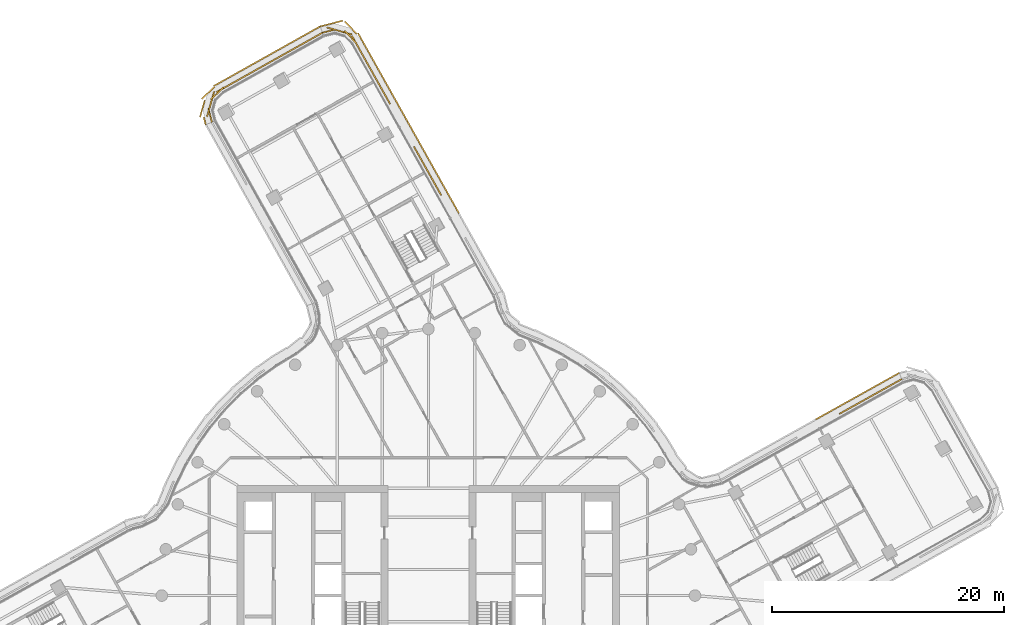
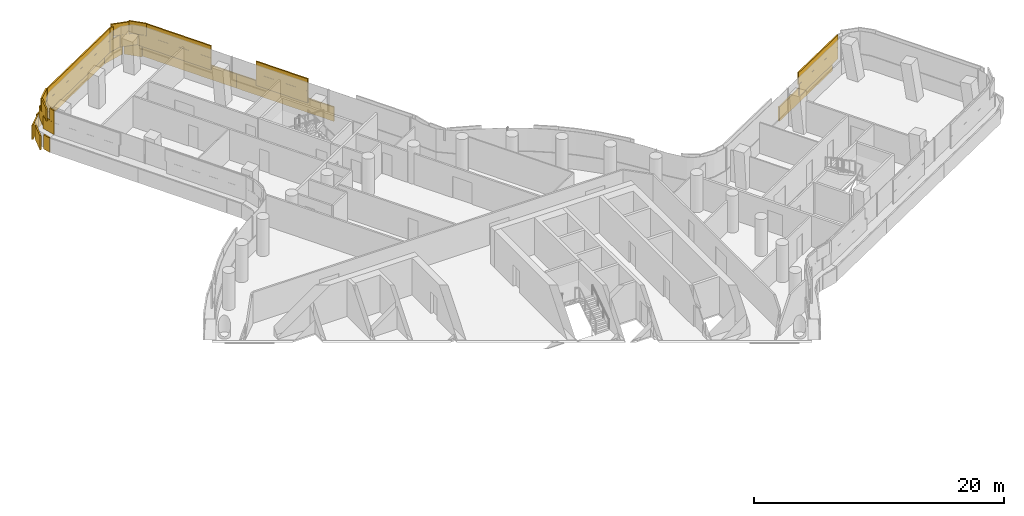
# One storey, part 34 of 34: 4 coverings.
"""IFC4 building model written with IfcOpenShell, lengths in metres."""

from ifc_helpers import new_model, si_unit, direction, frame, origin, origin_2d, place, context, subcontext, project, spatial, rectangle, extrude, material, layer, layer_set, type_object, element, save


model = new_model("IFC4")

# Units and contexts
model_context = context("Model", 3, precision=1e-05, world=origin(), true_north=direction((0.0, 1.0)))
body_context = subcontext(model_context, "Body", "Model", "MODEL_VIEW")
ifc_project = project(units=[si_unit("LENGTHUNIT", "METRE"), si_unit("AREAUNIT", "SQUARE_METRE"), si_unit("VOLUMEUNIT", "CUBIC_METRE"), si_unit("PLANEANGLEUNIT", "RADIAN"), si_unit("MASSUNIT", "GRAM", prefix="KILO")], contexts=[model_context])

# Site, building, storey
site_placement = place(None, origin())
site = spatial("IfcSite", under=ifc_project, at=site_placement, CompositionType="ELEMENT")
building_placement = place(site_placement, origin())
building = spatial("IfcBuilding", under=site, at=building_placement, Name="Tamarind Cross Interchange Tower", CompositionType="ELEMENT")
storey_placement = place(building_placement, frame((0.0, 0.0, 140.5)))
storey = spatial("IfcBuildingStorey", under=building, at=storey_placement, Name="L34", CompositionType="ELEMENT", Elevation=140.5)

# Coverings
ifc_material = material(Name="Terracotta", Category="masonry")
ifc_layer = layer(ifc_material, 0.1201171875)
ifc_layer_set = layer_set([ifc_layer], Name="Terracotta")
covering_type = type_object("IfcCoveringType", Name="Terracotta baguette screen unit", PredefinedType="MOLDING", material=ifc_layer_set)
covering_1_placement = place(storey_placement, origin())
element("IfcCovering", 1, at=covering_1_placement, inside=storey, type_object=covering_type, Name="SCR-L34-09-00", PredefinedType="MOLDING", context=body_context, shape_type="SweptSolid", body=[
    extrude(rectangle(XDim=1.510009765625, YDim=0.1201171875, at=origin_2d()), frame((40.180908203125, 18.311767578125, 1.404052734375), z_axis=(0.0, 0.0, 1.0), x_axis=(-0.873449626547, -0.486914520101, 0.0)), (0.0, 0.0, 1.0), 1.1669921875),
    extrude(rectangle(XDim=1.52001953125, YDim=0.1201171875, at=origin_2d()), frame((38.87060546875, 17.581298828125, 1.404052734375), z_axis=(0.0, 0.0, 1.0), x_axis=(-0.873449626547, -0.486914520101, 0.0)), (0.0, 0.0, 1.0), 1.1669921875),
    extrude(rectangle(XDim=1.52001953125, YDim=0.1201171875, at=origin_2d()), frame((37.560546875, 16.85107421875, 1.404052734375), z_axis=(0.0, 0.0, 1.0), x_axis=(-0.873449626547, -0.486914520101, 0.0)), (0.0, 0.0, 1.0), 1.1669921875),
    extrude(rectangle(XDim=1.52001953125, YDim=0.1201171875, at=origin_2d()), frame((36.250244140625, 16.12060546875, 1.404052734375), z_axis=(0.0, 0.0, 1.0), x_axis=(-0.873449626547, -0.486914520101, 0.0)), (0.0, 0.0, 1.0), 1.1669921875),
    extrude(rectangle(XDim=0.760009765625, YDim=0.1201171875, at=origin_2d()), frame((40.50830078125, 18.494384765625, 2.5791015625), z_axis=(0.0, 0.0, 1.0), x_axis=(-0.873449626547, -0.486914520101, 0.0)), (0.0, 0.0, 1.0), 1.1669921875),
    extrude(rectangle(XDim=1.52001953125, YDim=0.1201171875, at=origin_2d()), frame((39.525634765625, 17.946533203125, 2.5791015625), z_axis=(0.0, 0.0, 1.0), x_axis=(-0.873449626547, -0.486914520101, 0.0)), (0.0, 0.0, 1.0), 1.1669921875),
    extrude(rectangle(XDim=1.52001953125, YDim=0.1201171875, at=origin_2d()), frame((38.215576171875, 17.21630859375, 2.5791015625), z_axis=(0.0, 0.0, 1.0), x_axis=(-0.873449626547, -0.486914520101, 0.0)), (0.0, 0.0, 1.0), 1.1669921875),
    extrude(rectangle(XDim=1.52001953125, YDim=0.1201171875, at=origin_2d()), frame((36.9052734375, 16.48583984375, 2.5791015625), z_axis=(0.0, 0.0, 1.0), x_axis=(-0.873449626547, -0.486914520101, 0.0)), (0.0, 0.0, 1.0), 1.1669921875),
    extrude(rectangle(XDim=0.90869140625, YDim=0.1201171875, at=origin_2d()), frame((35.85791015625, 15.90185546875, 2.5791015625), z_axis=(0.0, 0.0, 1.0), x_axis=(-0.873449626547, -0.486914520101, 0.0)), (0.0, 0.0, 1.0), 1.1669921875),
    extrude(rectangle(XDim=1.510009765625, YDim=0.1201171875, at=origin_2d()), frame((39.96240234375, 18.84716796875, 0.00390625), z_axis=(0.0, 0.0, 1.0), x_axis=(-0.873449626547, -0.486914520101, 0.0)), (0.0, 0.0, 1.0), 1.39208984375),
    extrude(rectangle(XDim=1.52001953125, YDim=0.1201171875, at=origin_2d()), frame((38.65673828125, 18.119140625, 0.00390625), z_axis=(0.0, 0.0, 1.0), x_axis=(-0.873449626547, -0.486914520101, 0.0)), (0.0, 0.0, 1.0), 1.39208984375),
    extrude(rectangle(XDim=1.52001953125, YDim=0.1201171875, at=origin_2d()), frame((37.346435546875, 17.388916015625, 0.00390625), z_axis=(0.0, 0.0, 1.0), x_axis=(-0.873449626547, -0.486914520101, 0.0)), (0.0, 0.0, 1.0), 1.39208984375),
    extrude(rectangle(XDim=1.52001953125, YDim=0.1201171875, at=origin_2d()), frame((36.036376953125, 16.658447265625, 0.00390625), z_axis=(0.0, 0.0, 1.0), x_axis=(-0.873449626547, -0.486914520101, 0.0)), (0.0, 0.0, 1.0), 1.39208984375),
    extrude(rectangle(XDim=1.52001953125, YDim=0.1201171875, at=origin_2d()), frame((34.72607421875, 15.92822265625, 0.00390625), z_axis=(0.0, 0.0, 1.0), x_axis=(-0.873449626547, -0.486914520101, 0.0)), (0.0, 0.0, 1.0), 1.39208984375),
    extrude(rectangle(XDim=0.75732421875, YDim=0.1201171875, at=origin_2d()), frame((33.7490234375, 15.383544921875, 0.00390625), z_axis=(0.0, 0.0, 1.0), x_axis=(-0.873449626547, -0.486914520101, 0.0)), (0.0, 0.0, 1.0), 1.39208984375),
])
covering_2_placement = place(storey_placement, origin())
element("IfcCovering", 2, at=covering_2_placement, inside=storey, type_object=covering_type, Name="SCR-L34-11-01", PredefinedType="MOLDING", context=body_context, shape_type="SweptSolid", body=[
    extrude(rectangle(XDim=0.762939453125, YDim=0.1201171875, at=origin_2d()), frame((0.919677734375, 34.866455078125, 1.404052734375), z_axis=(0.0, 0.0, 1.0), x_axis=(-0.488688242939, 0.872458481082, 0.0)), (0.0, 0.0, 1.0), 1.1669921875),
    extrude(rectangle(XDim=1.52001953125, YDim=0.1201171875, at=origin_2d()), frame((0.369140625, 35.84912109375, 1.404052734375), z_axis=(0.0, 0.0, 1.0), x_axis=(-0.488688242939, 0.872458481082, 0.0)), (0.0, 0.0, 1.0), 1.1669921875),
    extrude(rectangle(XDim=1.52001953125, YDim=0.1201171875, at=origin_2d()), frame((-0.36376953125, 37.15771484375, 1.404052734375), z_axis=(0.0, 0.0, 1.0), x_axis=(-0.488688242939, 0.872458481082, 0.0)), (0.0, 0.0, 1.0), 1.1669921875),
    extrude(rectangle(XDim=1.0634765625, YDim=0.1201171875, at=origin_2d()), frame((-0.98779296875, 38.271728515625, 1.404052734375), z_axis=(0.0, 0.0, 1.0), x_axis=(-0.488688242939, 0.872458481082, 0.0)), (0.0, 0.0, 1.0), 1.1669921875),
    extrude(rectangle(XDim=1.52001953125, YDim=0.1201171875, at=origin_2d()), frame((0.735595703125, 35.19482421875, 2.5791015625), z_axis=(0.0, 0.0, 1.0), x_axis=(-0.488688242939, 0.872458481082, 0.0)), (0.0, 0.0, 1.0), 1.1669921875),
    extrude(rectangle(XDim=1.52001953125, YDim=0.1201171875, at=origin_2d()), frame((0.002685546875, 36.50341796875, 2.5791015625), z_axis=(0.0, 0.0, 1.0), x_axis=(-0.488688242939, 0.872458481082, 0.0)), (0.0, 0.0, 1.0), 1.1669921875),
    extrude(rectangle(XDim=1.52001953125, YDim=0.1201171875, at=origin_2d()), frame((-0.73046875, 37.812255859375, 2.5791015625), z_axis=(0.0, 0.0, 1.0), x_axis=(-0.488688242939, 0.872458481082, 0.0)), (0.0, 0.0, 1.0), 1.1669921875),
    extrude(rectangle(XDim=0.3134765625, YDim=0.1201171875, at=origin_2d()), frame((-1.171142578125, 38.598876953125, 2.5791015625), z_axis=(0.0, 0.0, 1.0), x_axis=(-0.488688242939, 0.872458481082, 0.0)), (0.0, 0.0, 1.0), 1.1669921875),
    extrude(rectangle(XDim=1.328125, YDim=0.1201171875, at=origin_2d()), frame((2.3076171875, 33.563232421875, 0.00390625), z_axis=(0.0, 0.0, 1.0), x_axis=(-0.488688242939, 0.872458481082, 0.0)), (0.0, 0.0, 1.0), 1.39208984375),
    extrude(rectangle(XDim=1.52001953125, YDim=0.1201171875, at=origin_2d()), frame((1.621337890625, 34.7880859375, 0.00390625), z_axis=(0.0, 0.0, 1.0), x_axis=(-0.488688242939, 0.872458481082, 0.0)), (0.0, 0.0, 1.0), 1.39208984375),
    extrude(rectangle(XDim=1.52001953125, YDim=0.1201171875, at=origin_2d()), frame((0.888427734375, 36.0966796875, 0.00390625), z_axis=(0.0, 0.0, 1.0), x_axis=(-0.488688242939, 0.872458481082, 0.0)), (0.0, 0.0, 1.0), 1.39208984375),
    extrude(rectangle(XDim=1.52001953125, YDim=0.1201171875, at=origin_2d()), frame((0.1552734375, 37.405517578125, 0.00390625), z_axis=(0.0, 0.0, 1.0), x_axis=(-0.488688242939, 0.872458481082, 0.0)), (0.0, 0.0, 1.0), 1.39208984375),
    extrude(rectangle(XDim=1.52001953125, YDim=0.1201171875, at=origin_2d()), frame((-0.57763671875, 38.714111328125, 0.00390625), z_axis=(0.0, 0.0, 1.0), x_axis=(-0.488688242939, 0.872458481082, 0.0)), (0.0, 0.0, 1.0), 1.39208984375),
    extrude(rectangle(XDim=1.52001953125, YDim=0.1201171875, at=origin_2d()), frame((-1.310791015625, 40.02294921875, 0.00390625), z_axis=(0.0, 0.0, 1.0), x_axis=(-0.488688242939, 0.872458481082, 0.0)), (0.0, 0.0, 1.0), 1.39208984375),
    extrude(rectangle(XDim=0.2392578125, YDim=0.1201171875, at=origin_2d()), frame((-1.730712890625, 40.77294921875, 0.00390625), z_axis=(0.0, 0.0, 1.0), x_axis=(-0.488688242939, 0.872458481082, 0.0)), (0.0, 0.0, 1.0), 1.39208984375),
])
covering_3_placement = place(storey_placement, origin())
element("IfcCovering", 3, at=covering_3_placement, inside=storey, type_object=covering_type, Name="SCR-L34-11-02", PredefinedType="MOLDING", context=body_context, shape_type="SweptSolid", body=[
    extrude(rectangle(XDim=0.75634765625, YDim=0.1201171875, at=origin_2d()), frame((-3.480224609375, 42.72119140625, 1.404052734375), z_axis=(0.0, 0.0, 1.0), x_axis=(-0.488688242939, 0.872458481082, 0.0)), (0.0, 0.0, 1.0), 1.1669921875),
    extrude(rectangle(XDim=1.52001953125, YDim=0.1201171875, at=origin_2d()), frame((-4.029052734375, 43.701171875, 1.404052734375), z_axis=(0.0, 0.0, 1.0), x_axis=(-0.488688242939, 0.872458481082, 0.0)), (0.0, 0.0, 1.0), 1.1669921875),
    extrude(rectangle(XDim=1.52001953125, YDim=0.1201171875, at=origin_2d()), frame((-4.761962890625, 45.010009765625, 1.404052734375), z_axis=(0.0, 0.0, 1.0), x_axis=(-0.488688242939, 0.872458481082, 0.0)), (0.0, 0.0, 1.0), 1.1669921875),
    extrude(rectangle(XDim=1.52001953125, YDim=0.1201171875, at=origin_2d()), frame((-5.4951171875, 46.318603515625, 1.404052734375), z_axis=(0.0, 0.0, 1.0), x_axis=(-0.488688242939, 0.872458481082, 0.0)), (0.0, 0.0, 1.0), 1.1669921875),
    extrude(rectangle(XDim=1.52001953125, YDim=0.1201171875, at=origin_2d()), frame((-6.22802734375, 47.627197265625, 1.404052734375), z_axis=(0.0, 0.0, 1.0), x_axis=(-0.488688242939, 0.872458481082, 0.0)), (0.0, 0.0, 1.0), 1.1669921875),
    extrude(rectangle(XDim=1.52001953125, YDim=0.1201171875, at=origin_2d()), frame((-7.313232421875, 48.60595703125, 1.404052734375), z_axis=(0.0, 0.0, 1.0), x_axis=(-0.962476078746, 0.271366537809, 0.0)), (0.0, 0.0, 1.0), 1.1669921875),
    extrude(rectangle(XDim=1.144287109375, YDim=0.1201171875, at=origin_2d()), frame((-8.58447265625, 48.70263671875, 1.404052734375), z_axis=(0.0, 0.0, 1.0), x_axis=(-0.969212003633, -0.246227723894, 0.0)), (0.0, 0.0, 1.0), 1.1669921875),
    extrude(rectangle(XDim=1.50634765625, YDim=0.1201171875, at=origin_2d()), frame((-3.663330078125, 43.04833984375, 2.5791015625), z_axis=(0.0, 0.0, 1.0), x_axis=(-0.488688242939, 0.872458481082, 0.0)), (0.0, 0.0, 1.0), 1.1669921875),
    extrude(rectangle(XDim=1.52001953125, YDim=0.1201171875, at=origin_2d()), frame((-4.3955078125, 44.35546875, 2.5791015625), z_axis=(0.0, 0.0, 1.0), x_axis=(-0.488688242939, 0.872458481082, 0.0)), (0.0, 0.0, 1.0), 1.1669921875),
    extrude(rectangle(XDim=1.52001953125, YDim=0.1201171875, at=origin_2d()), frame((-5.128662109375, 45.664306640625, 2.5791015625), z_axis=(0.0, 0.0, 1.0), x_axis=(-0.488688242939, 0.872458481082, 0.0)), (0.0, 0.0, 1.0), 1.1669921875),
    extrude(rectangle(XDim=1.52001953125, YDim=0.1201171875, at=origin_2d()), frame((-5.861572265625, 46.972900390625, 2.5791015625), z_axis=(0.0, 0.0, 1.0), x_axis=(-0.488688242939, 0.872458481082, 0.0)), (0.0, 0.0, 1.0), 1.1669921875),
    extrude(rectangle(XDim=1.52001953125, YDim=0.1201171875, at=origin_2d()), frame((-6.718505859375, 48.189208984375, 2.5791015625), z_axis=(0.0, 0.0, 1.0), x_axis=(-0.697845465824, 0.716248354852, 0.0)), (0.0, 0.0, 1.0), 1.1669921875),
    extrude(rectangle(XDim=1.52001953125, YDim=0.1201171875, at=origin_2d()), frame((-8.03515625, 48.8095703125, 2.5791015625), z_axis=(0.0, 0.0, 1.0), x_axis=(-0.962476078746, 0.271366537809, 0.0)), (0.0, 0.0, 1.0), 1.1669921875),
    extrude(rectangle(XDim=0.394287109375, YDim=0.1201171875, at=origin_2d()), frame((-8.947998046875, 48.6103515625, 2.5791015625), z_axis=(0.0, 0.0, 1.0), x_axis=(-0.969212003633, -0.246227723894, 0.0)), (0.0, 0.0, 1.0), 1.1669921875),
    extrude(rectangle(XDim=1.28076171875, YDim=0.1201171875, at=origin_2d()), frame((-2.102294921875, 41.43603515625, 0.00390625), z_axis=(0.0, 0.0, 1.0), x_axis=(-0.488688242939, 0.872458481082, 0.0)), (0.0, 0.0, 1.0), 1.39208984375),
    extrude(rectangle(XDim=1.52001953125, YDim=0.1201171875, at=origin_2d()), frame((-2.77685546875, 42.64013671875, 0.00390625), z_axis=(0.0, 0.0, 1.0), x_axis=(-0.488688242939, 0.872458481082, 0.0)), (0.0, 0.0, 1.0), 1.39208984375),
    extrude(rectangle(XDim=1.52001953125, YDim=0.1201171875, at=origin_2d()), frame((-3.509765625, 43.948974609375, 0.00390625), z_axis=(0.0, 0.0, 1.0), x_axis=(-0.488688242939, 0.872458481082, 0.0)), (0.0, 0.0, 1.0), 1.39208984375),
    extrude(rectangle(XDim=1.52001953125, YDim=0.1201171875, at=origin_2d()), frame((-4.242919921875, 45.257568359375, 0.00390625), z_axis=(0.0, 0.0, 1.0), x_axis=(-0.488688242939, 0.872458481082, 0.0)), (0.0, 0.0, 1.0), 1.39208984375),
    extrude(rectangle(XDim=1.52001953125, YDim=0.1201171875, at=origin_2d()), frame((-4.975830078125, 46.56640625, 0.00390625), z_axis=(0.0, 0.0, 1.0), x_axis=(-0.488688242939, 0.872458481082, 0.0)), (0.0, 0.0, 1.0), 1.39208984375),
    extrude(rectangle(XDim=1.52001953125, YDim=0.1201171875, at=origin_2d()), frame((-5.708984375, 47.875, 0.00390625), z_axis=(0.0, 0.0, 1.0), x_axis=(-0.488688242939, 0.872458481082, 0.0)), (0.0, 0.0, 1.0), 1.39208984375),
    extrude(rectangle(XDim=1.52001953125, YDim=0.1201171875, at=origin_2d()), frame((-6.698974609375, 48.99169921875, 0.00390625), z_axis=(0.0, 0.0, 1.0), x_axis=(-0.697845465824, 0.716248354852, 0.0)), (0.0, 0.0, 1.0), 1.39208984375),
    extrude(rectangle(XDim=1.52001953125, YDim=0.1201171875, at=origin_2d()), frame((-8.123779296875, 49.411865234375, 0.00390625), z_axis=(0.0, 0.0, 1.0), x_axis=(-0.969212003633, -0.246227723894, 0.0)), (0.0, 0.0, 1.0), 1.39208984375),
    extrude(rectangle(XDim=0.52392578125, YDim=0.1201171875, at=origin_2d()), frame((-9.094970703125, 49.1650390625, 0.00390625), z_axis=(0.0, 0.0, 1.0), x_axis=(-0.969212003633, -0.246227723894, 0.0)), (0.0, 0.0, 1.0), 1.39208984375),
])
covering_4_placement = place(storey_placement, origin())
element("IfcCovering", 4, at=covering_4_placement, inside=storey, type_object=covering_type, Name="SCR-L34-12-00", PredefinedType="MOLDING", context=body_context, shape_type="SweptSolid", body=[
    extrude(rectangle(XDim=1.510009765625, YDim=0.1201171875, at=origin_2d()), frame((-9.78857421875, 48.196533203125, 1.404052734375), z_axis=(0.0, 0.0, 1.0), x_axis=(-0.872458481082, -0.488688242939, 0.0)), (0.0, 0.0, 1.0), 1.1669921875),
    extrude(rectangle(XDim=1.52001953125, YDim=0.1201171875, at=origin_2d()), frame((-11.09716796875, 47.46337890625, 1.404052734375), z_axis=(0.0, 0.0, 1.0), x_axis=(-0.872458481082, -0.488688242939, 0.0)), (0.0, 0.0, 1.0), 1.1669921875),
    extrude(rectangle(XDim=1.52001953125, YDim=0.1201171875, at=origin_2d()), frame((-12.40576171875, 46.73046875, 1.404052734375), z_axis=(0.0, 0.0, 1.0), x_axis=(-0.872458481082, -0.488688242939, 0.0)), (0.0, 0.0, 1.0), 1.1669921875),
    extrude(rectangle(XDim=1.52001953125, YDim=0.1201171875, at=origin_2d()), frame((-13.714599609375, 45.997314453125, 1.404052734375), z_axis=(0.0, 0.0, 1.0), x_axis=(-0.872458481082, -0.488688242939, 0.0)), (0.0, 0.0, 1.0), 1.1669921875),
    extrude(rectangle(XDim=1.52001953125, YDim=0.1201171875, at=origin_2d()), frame((-15.023193359375, 45.264404296875, 1.404052734375), z_axis=(0.0, 0.0, 1.0), x_axis=(-0.872458481082, -0.488688242939, 0.0)), (0.0, 0.0, 1.0), 1.1669921875),
    extrude(rectangle(XDim=1.52001953125, YDim=0.1201171875, at=origin_2d()), frame((-16.331787109375, 44.53125, 1.404052734375), z_axis=(0.0, 0.0, 1.0), x_axis=(-0.872458481082, -0.488688242939, 0.0)), (0.0, 0.0, 1.0), 1.1669921875),
    extrude(rectangle(XDim=1.52001953125, YDim=0.1201171875, at=origin_2d()), frame((-17.640625, 43.79833984375, 1.404052734375), z_axis=(0.0, 0.0, 1.0), x_axis=(-0.872458481082, -0.488688242939, 0.0)), (0.0, 0.0, 1.0), 1.1669921875),
    extrude(rectangle(XDim=1.52001953125, YDim=0.1201171875, at=origin_2d()), frame((-18.688720703125, 42.767578125, 1.404052734375), z_axis=(0.0, 0.0, 1.0), x_axis=(-0.271366537809, -0.962476078746, 0.0)), (0.0, 0.0, 1.0), 1.1669921875),
    extrude(rectangle(XDim=1.259521484375, YDim=0.1201171875, at=origin_2d()), frame((-18.830810546875, 41.44140625, 1.404052734375), z_axis=(0.0, 0.0, 1.0), x_axis=(0.246227723894, -0.969212003633, 0.0)), (0.0, 0.0, 1.0), 1.1669921875),
    extrude(rectangle(XDim=0.760009765625, YDim=0.1201171875, at=origin_2d()), frame((-9.461181640625, 48.379638671875, 2.5791015625), z_axis=(0.0, 0.0, 1.0), x_axis=(-0.872458481082, -0.488688242939, 0.0)), (0.0, 0.0, 1.0), 1.1669921875),
    extrude(rectangle(XDim=1.52001953125, YDim=0.1201171875, at=origin_2d()), frame((-10.44287109375, 47.829833984375, 2.5791015625), z_axis=(0.0, 0.0, 1.0), x_axis=(-0.872458481082, -0.488688242939, 0.0)), (0.0, 0.0, 1.0), 1.1669921875),
    extrude(rectangle(XDim=1.52001953125, YDim=0.1201171875, at=origin_2d()), frame((-11.75146484375, 47.096923828125, 2.5791015625), z_axis=(0.0, 0.0, 1.0), x_axis=(-0.872458481082, -0.488688242939, 0.0)), (0.0, 0.0, 1.0), 1.1669921875),
    extrude(rectangle(XDim=1.52001953125, YDim=0.1201171875, at=origin_2d()), frame((-13.060302734375, 46.36376953125, 2.5791015625), z_axis=(0.0, 0.0, 1.0), x_axis=(-0.872458481082, -0.488688242939, 0.0)), (0.0, 0.0, 1.0), 1.1669921875),
    extrude(rectangle(XDim=1.52001953125, YDim=0.1201171875, at=origin_2d()), frame((-14.368896484375, 45.630859375, 2.5791015625), z_axis=(0.0, 0.0, 1.0), x_axis=(-0.872458481082, -0.488688242939, 0.0)), (0.0, 0.0, 1.0), 1.1669921875),
    extrude(rectangle(XDim=1.52001953125, YDim=0.1201171875, at=origin_2d()), frame((-15.677490234375, 44.897705078125, 2.5791015625), z_axis=(0.0, 0.0, 1.0), x_axis=(-0.872458481082, -0.488688242939, 0.0)), (0.0, 0.0, 1.0), 1.1669921875),
    extrude(rectangle(XDim=1.52001953125, YDim=0.1201171875, at=origin_2d()), frame((-16.986328125, 44.164794921875, 2.5791015625), z_axis=(0.0, 0.0, 1.0), x_axis=(-0.872458481082, -0.488688242939, 0.0)), (0.0, 0.0, 1.0), 1.1669921875),
    extrude(rectangle(XDim=1.52001953125, YDim=0.1201171875, at=origin_2d()), frame((-18.220458984375, 43.33203125, 2.5791015625), z_axis=(0.0, 0.0, 1.0), x_axis=(-0.716248354852, -0.697845465824, 0.0)), (0.0, 0.0, 1.0), 1.1669921875),
    extrude(rectangle(XDim=1.52001953125, YDim=0.1201171875, at=origin_2d()), frame((-18.892333984375, 42.0458984375, 2.5791015625), z_axis=(0.0, 0.0, 1.0), x_axis=(-0.271366537809, -0.962476078746, 0.0)), (0.0, 0.0, 1.0), 1.1669921875),
    extrude(rectangle(XDim=0.509521484375, YDim=0.1201171875, at=origin_2d()), frame((-18.738525390625, 41.077880859375, 2.5791015625), z_axis=(0.0, 0.0, 1.0), x_axis=(0.246227723894, -0.969212003633, 0.0)), (0.0, 0.0, 1.0), 1.1669921875),
    extrude(rectangle(XDim=1.510009765625, YDim=0.1201171875, at=origin_2d()), frame((-10.00732421875, 48.731689453125, 0.00390625), z_axis=(0.0, 0.0, 1.0), x_axis=(-0.872458481082, -0.488688242939, 0.0)), (0.0, 0.0, 1.0), 1.39208984375),
    extrude(rectangle(XDim=1.52001953125, YDim=0.1201171875, at=origin_2d()), frame((-11.311767578125, 48.001220703125, 0.00390625), z_axis=(0.0, 0.0, 1.0), x_axis=(-0.872458481082, -0.488688242939, 0.0)), (0.0, 0.0, 1.0), 1.39208984375),
    extrude(rectangle(XDim=1.52001953125, YDim=0.1201171875, at=origin_2d()), frame((-12.620361328125, 47.26806640625, 0.00390625), z_axis=(0.0, 0.0, 1.0), x_axis=(-0.872458481082, -0.488688242939, 0.0)), (0.0, 0.0, 1.0), 1.39208984375),
    extrude(rectangle(XDim=1.52001953125, YDim=0.1201171875, at=origin_2d()), frame((-13.92919921875, 46.53515625, 0.00390625), z_axis=(0.0, 0.0, 1.0), x_axis=(-0.872458481082, -0.488688242939, 0.0)), (0.0, 0.0, 1.0), 1.39208984375),
    extrude(rectangle(XDim=1.52001953125, YDim=0.1201171875, at=origin_2d()), frame((-15.23779296875, 45.802001953125, 0.00390625), z_axis=(0.0, 0.0, 1.0), x_axis=(-0.872458481082, -0.488688242939, 0.0)), (0.0, 0.0, 1.0), 1.39208984375),
    extrude(rectangle(XDim=1.52001953125, YDim=0.1201171875, at=origin_2d()), frame((-16.54638671875, 45.069091796875, 0.00390625), z_axis=(0.0, 0.0, 1.0), x_axis=(-0.872458481082, -0.488688242939, 0.0)), (0.0, 0.0, 1.0), 1.39208984375),
    extrude(rectangle(XDim=1.52001953125, YDim=0.1201171875, at=origin_2d()), frame((-17.855224609375, 44.3359375, 0.00390625), z_axis=(0.0, 0.0, 1.0), x_axis=(-0.872458481082, -0.488688242939, 0.0)), (0.0, 0.0, 1.0), 1.39208984375),
    extrude(rectangle(XDim=1.52001953125, YDim=0.1201171875, at=origin_2d()), frame((-18.995849609375, 43.3779296875, 0.00390625), z_axis=(0.0, 0.0, 1.0), x_axis=(-0.716248354852, -0.697845465824, 0.0)), (0.0, 0.0, 1.0), 1.39208984375),
    extrude(rectangle(XDim=1.52001953125, YDim=0.1201171875, at=origin_2d()), frame((-19.503173828125, 41.993896484375, 0.00390625), z_axis=(0.0, 0.0, 1.0), x_axis=(-0.271366537809, -0.962476078746, 0.0)), (0.0, 0.0, 1.0), 1.39208984375),
    extrude(rectangle(XDim=0.676513671875, YDim=0.1201171875, at=origin_2d()), frame((-19.298095703125, 40.94970703125, 0.00390625), z_axis=(0.0, 0.0, 1.0), x_axis=(0.246227723894, -0.969212003633, 0.0)), (0.0, 0.0, 1.0), 1.39208984375),
])

save(model, "model.ifc")
